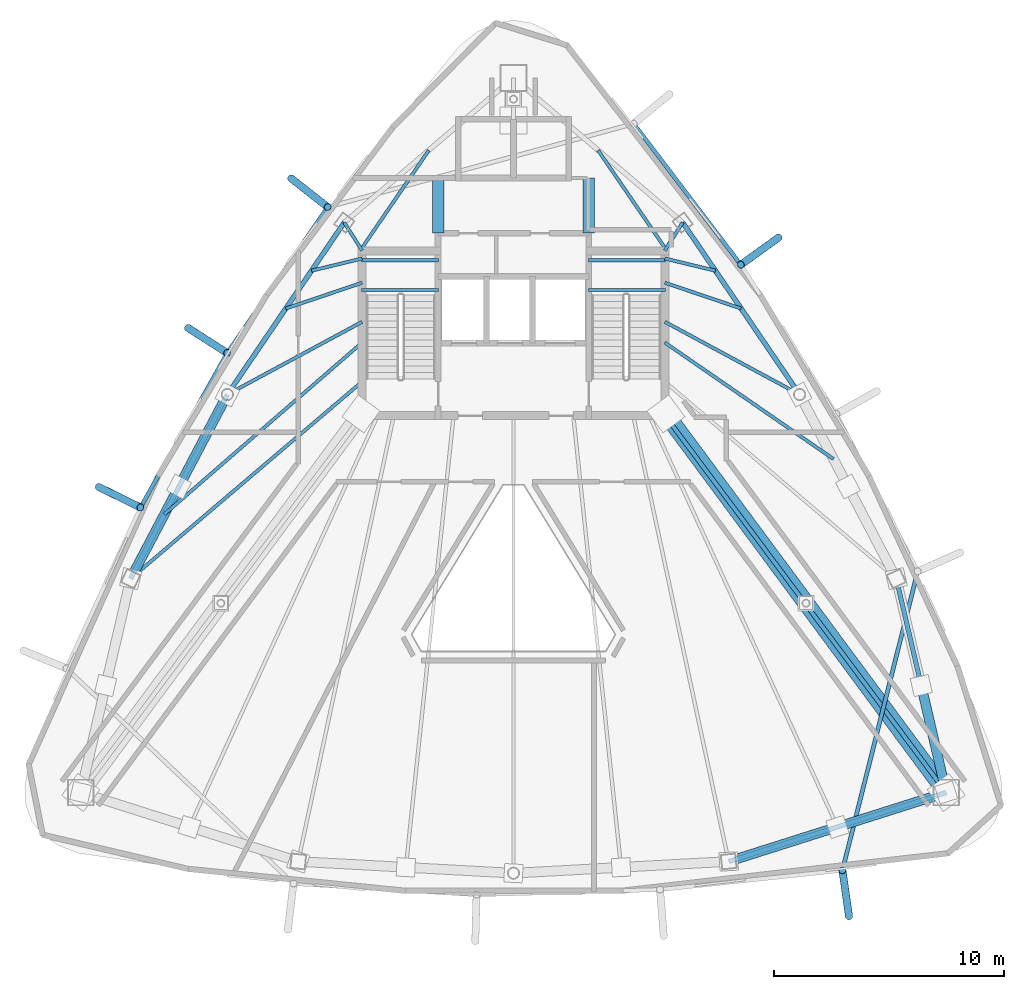
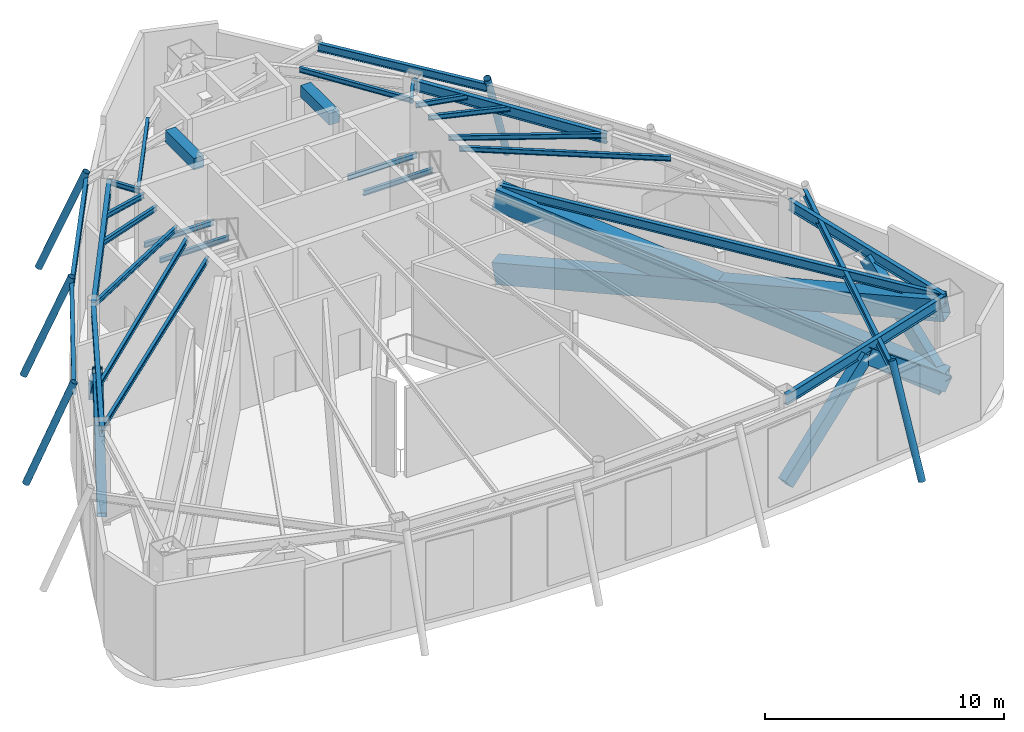
# One storey, part 3 of 9: 29 beams, 12 members.
"""IFC4 building model written with IfcOpenShell, lengths in metres."""

from ifc_helpers import new_model, si_unit, direction, frame, origin, origin_2d, place, context, subcontext, project, spatial, rectangle, hollow_rectangle, hollow_circle, i_section, extrude, material, material_profile, profile_set, type_object, element, save


model = new_model("IFC4")

# Units and contexts
model_context = context("Model", 3, precision=1e-05, world=origin(), true_north=direction((0.0, 1.0)))
body_context = subcontext(model_context, "Body", "Model", "MODEL_VIEW")
ifc_project = project(units=[si_unit("LENGTHUNIT", "METRE"), si_unit("AREAUNIT", "SQUARE_METRE"), si_unit("VOLUMEUNIT", "CUBIC_METRE"), si_unit("PLANEANGLEUNIT", "RADIAN"), si_unit("MASSUNIT", "GRAM", prefix="KILO")], contexts=[model_context])

# Site, building, storey
site_placement = place(None, origin())
site = spatial("IfcSite", under=ifc_project, at=site_placement, CompositionType="ELEMENT")
building_placement = place(site_placement, origin())
building = spatial("IfcBuilding", under=site, at=building_placement, Name="Orvanel Arch Residences", CompositionType="ELEMENT")
storey_placement = place(building_placement, frame((0.0, 0.0, 281.0)))
storey = spatial("IfcBuildingStorey", under=building, at=storey_placement, Name="L80", CompositionType="ELEMENT", Elevation=281.0)

# Beams
ifc_material_1 = material(Name="Structural steel AS/NZS 3679.1 Grade 300 (300 MPa)", Category="steel")
ifc_material_profile_1 = material_profile(ifc_material_1, i_section(OverallWidth=0.19091796875, OverallDepth=0.4599609375, WebThickness=0.010009765625, FlangeThickness=0.01611328125, at=origin_2d()), Name="460UB82.1")
ifc_profile_set_1 = profile_set([ifc_material_profile_1], Name="Structural steel AS/NZS 3679.1 Grade 300 (300 MPa)")
beam_type_1 = type_object("IfcBeamType", Name="BG-460UB", PredefinedType="BEAM", material=ifc_profile_set_1)
beam_1_placement = place(storey_placement, frame((39.625, 26.675048828125, 4.6201171875), z_axis=(0.597893733742, -0.801575375839, 0.0), x_axis=(0.801575375839, 0.597893733742, 0.0)))
element("IfcBeam", 1, at=beam_1_placement, inside=storey, type_object=beam_type_1, Name="L80 South-East Radial Girder", PredefinedType="BEAM", context=body_context, shape_type="SweptSolid", body=[
    extrude(i_section(OverallWidth=0.19091796875, OverallDepth=0.4599609375, WebThickness=0.010009765625, FlangeThickness=0.01611328125, at=origin_2d()), origin(), (0.0, 0.0, 1.0), 20.36474609375),
])
ifc_material_profile_2 = material_profile(ifc_material_1, i_section(OverallWidth=0.14599609375, OverallDepth=0.251953125, WebThickness=0.006103515625, FlangeThickness=0.008544921875, at=origin_2d()), Name="250UB31.4")
ifc_profile_set_2 = profile_set([ifc_material_profile_2], Name="Structural steel AS/NZS 3679.1 Grade 300 (300 MPa)")
beam_type_2 = type_object("IfcBeamType", Name="BJ-250UB", PredefinedType="JOIST", material=ifc_profile_set_2)
for number, where, z_axis, x_axis, name in (
    (2, (26.39990234375, 32.179931640625, 2.22412109375), (1.0, 0.0, 0.0), (0.0, 1.0, 0.0), "L80 ST-1 Half-Landing Support Beam 1.1"),
    (3, (26.39990234375, 33.47998046875, 2.22412109375), (1.0, 0.0, 0.0), (0.0, 1.0, 0.0), "L80 ST-1 Half-Landing Support Beam 1.2"),
    (4, (36.25, 32.179931640625, 2.22412109375), (1.0, 0.0, 0.0), (0.0, 1.0, 0.0), "L80 ST-2 Half-Landing Support Beam 1.1"),
    (5, (36.25, 33.47998046875, 2.22412109375), (1.0, 0.0, 0.0), (0.0, 1.0, 0.0), "L80 ST-2 Half-Landing Support Beam 1.2"),
):
    element("IfcBeam", number, at=place(storey_placement, frame(where, z_axis=z_axis, x_axis=x_axis)), inside=storey, type_object=beam_type_2, Name=name, PredefinedType="JOIST", context=body_context, shape_type="SweptSolid", body=[
        extrude(i_section(OverallWidth=0.14599609375, OverallDepth=0.251953125, WebThickness=0.006103515625, FlangeThickness=0.008544921875, at=origin_2d()), origin(), (0.0, 0.0, 1.0), 3.35009765625),
    ])
beam_2_placement = place(storey_placement, frame((26.425048828125, 33.89990234375, 4.72412109375), z_axis=(-0.539395075146, 0.842052820735, 0.0), x_axis=(-0.842052820735, -0.539395075146, 0.0)))
element("IfcBeam", 6, at=beam_2_placement, inside=storey, type_object=beam_type_2, Name="L80 NNW Wing Floor Joist", PredefinedType="JOIST", context=body_context, shape_type="SweptSolid", body=[
    extrude(i_section(OverallWidth=0.14599609375, OverallDepth=0.251953125, WebThickness=0.006103515625, FlangeThickness=0.008544921875, at=origin_2d()), origin(), (0.0, 0.0, 1.0), 1.440673828125),
])
beam_3_placement = place(storey_placement, frame((26.425048828125, 30.800048828125, 4.72412109375), z_axis=(-0.880111494021, -0.474767056664, 0.0), x_axis=(0.474767056664, -0.880111494021, 0.0)))
element("IfcBeam", 7, at=beam_3_placement, inside=storey, type_object=beam_type_2, Name="L80 NW Wing Floor Joist", PredefinedType="JOIST", context=body_context, shape_type="SweptSolid", body=[
    extrude(i_section(OverallWidth=0.14599609375, OverallDepth=0.251953125, WebThickness=0.006103515625, FlangeThickness=0.008544921875, at=origin_2d()), origin(), (0.0, 0.0, 1.0), 6.653564453125),
])
beam_4_placement = place(storey_placement, frame((26.425048828125, 28.199951171875, 4.72412109375), z_axis=(-0.761622669031, -0.64802076357, 0.0), x_axis=(0.64802076357, -0.761622669031, 0.0)))
element("IfcBeam", 8, at=beam_4_placement, inside=storey, type_object=beam_type_2, Name="L80 W Wing Floor Joist", PredefinedType="JOIST", context=body_context, shape_type="SweptSolid", body=[
    extrude(i_section(OverallWidth=0.14599609375, OverallDepth=0.251953125, WebThickness=0.006103515625, FlangeThickness=0.008544921875, at=origin_2d()), origin(), (0.0, 0.0, 1.0), 13.2060546875),
])
beam_5_placement = place(storey_placement, frame((39.574951171875, 33.89990234375, 4.72412109375), z_axis=(0.539395075146, 0.842052820735, 0.0), x_axis=(-0.842052820735, 0.539395075146, 0.0)))
element("IfcBeam", 9, at=beam_5_placement, inside=storey, type_object=beam_type_2, Name="L80 NNE Wing Floor Joist", PredefinedType="JOIST", context=body_context, shape_type="SweptSolid", body=[
    extrude(i_section(OverallWidth=0.14599609375, OverallDepth=0.251953125, WebThickness=0.006103515625, FlangeThickness=0.008544921875, at=origin_2d()), origin(), (0.0, 0.0, 1.0), 1.440673828125),
])
beam_6_placement = place(storey_placement, frame((39.574951171875, 30.800048828125, 4.72412109375), z_axis=(0.880111494021, -0.474767056664, 0.0), x_axis=(0.474767056664, 0.880111494021, 0.0)))
element("IfcBeam", 10, at=beam_6_placement, inside=storey, type_object=beam_type_2, Name="L80 NE Wing Floor Joist", PredefinedType="JOIST", context=body_context, shape_type="SweptSolid", body=[
    extrude(i_section(OverallWidth=0.14599609375, OverallDepth=0.251953125, WebThickness=0.006103515625, FlangeThickness=0.008544921875, at=origin_2d()), origin(), (0.0, 0.0, 1.0), 6.653564453125),
])
for number, where, z_axis, x_axis, name in (
    (11, (26.425048828125, 34.02001953125, 4.72412109375), (0.564868085352, 0.825181220188, 0.0), (-0.825181220188, 0.564868085352, 0.0), "L80 NNW2 Wing Floor Joist"),
    (12, (39.574951171875, 34.02001953125, 4.72412109375), (-0.564868085352, 0.825181220188, 0.0), (-0.825181220188, -0.564868085352, 0.0), "L80 NNE2 Wing Floor Joist"),
):
    element("IfcBeam", number, at=place(storey_placement, frame(where, z_axis=z_axis, x_axis=x_axis)), inside=storey, type_object=beam_type_2, Name=name, PredefinedType="JOIST", context=body_context, shape_type="SweptSolid", body=[
        extrude(i_section(OverallWidth=0.14599609375, OverallDepth=0.251953125, WebThickness=0.006103515625, FlangeThickness=0.008544921875, at=origin_2d()), origin(), (0.0, 0.0, 1.0), 5.132080078125),
    ])
beam_7_placement = place(storey_placement, frame((26.425048828125, 32.5, 4.72412109375), z_axis=(-0.947187956478, -0.320678928373, 0.0), x_axis=(0.320678928373, -0.947187956478, 0.0)))
element("IfcBeam", 13, at=beam_7_placement, inside=storey, type_object=beam_type_2, Name="L80 WNW Wing Floor Joist", PredefinedType="JOIST", context=body_context, shape_type="SweptSolid", body=[
    extrude(i_section(OverallWidth=0.14599609375, OverallDepth=0.251953125, WebThickness=0.006103515625, FlangeThickness=0.008544921875, at=origin_2d()), origin(), (0.0, 0.0, 1.0), 3.502197265625),
])
beam_8_placement = place(storey_placement, frame((39.574951171875, 32.5, 4.72412109375), z_axis=(0.947159269453, -0.320763648641, 0.0), x_axis=(0.320763648641, 0.947159269453, 0.0)))
element("IfcBeam", 14, at=beam_8_placement, inside=storey, type_object=beam_type_2, Name="L80 ENE Wing Floor Joist", PredefinedType="JOIST", context=body_context, shape_type="SweptSolid", body=[
    extrude(i_section(OverallWidth=0.14599609375, OverallDepth=0.251953125, WebThickness=0.006103515625, FlangeThickness=0.008544921875, at=origin_2d()), origin(), (0.0, 0.0, 1.0), 3.501220703125),
])
beam_9_placement = place(storey_placement, frame((26.425048828125, 29.89990234375, 4.72412109375), z_axis=(-0.755000957585, -0.655723687269, 0.0), x_axis=(0.655723687269, -0.755000957585, 0.0)))
element("IfcBeam", 15, at=beam_9_placement, inside=storey, type_object=beam_type_2, Name="L80 CTW Wing Floor Joist", PredefinedType="JOIST", context=body_context, shape_type="SweptSolid", body=[
    extrude(i_section(OverallWidth=0.14599609375, OverallDepth=0.251953125, WebThickness=0.006103515625, FlangeThickness=0.008544921875, at=origin_2d()), origin(), (0.0, 0.0, 1.0), 11.373779296875),
])
beam_10_placement = place(storey_placement, frame((39.574951171875, 29.89990234375, 4.72412109375), z_axis=(0.822917046387, -0.568161539323, 0.0), x_axis=(0.568161539323, 0.822917046387, 0.0)))
element("IfcBeam", 16, at=beam_10_placement, inside=storey, type_object=beam_type_2, Name="L80 CTE Wing Floor Joist", PredefinedType="JOIST", context=body_context, shape_type="SweptSolid", body=[
    extrude(i_section(OverallWidth=0.14599609375, OverallDepth=0.251953125, WebThickness=0.006103515625, FlangeThickness=0.008544921875, at=origin_2d()), origin(), (0.0, 0.0, 1.0), 8.90380859375),
])
for number, where, z_axis, x_axis, name in (
    (17, (26.425048828125, 33.550048828125, 4.72412109375), (-0.972256833016, -0.23391590509, 0.0), (0.23391590509, -0.972256833016, 0.0), "L80 JADD3 Wing Floor Joist"),
    (18, (39.574951171875, 33.550048828125, 4.72412109375), (0.972256833016, -0.23391590509, 0.0), (0.23391590509, 0.972256833016, 0.0), "L80 JADD4 Wing Floor Joist"),
):
    element("IfcBeam", number, at=place(storey_placement, frame(where, z_axis=z_axis, x_axis=x_axis)), inside=storey, type_object=beam_type_2, Name=name, PredefinedType="JOIST", context=body_context, shape_type="SweptSolid", body=[
        extrude(i_section(OverallWidth=0.14599609375, OverallDepth=0.251953125, WebThickness=0.006103515625, FlangeThickness=0.008544921875, at=origin_2d()), origin(), (0.0, 0.0, 1.0), 2.26171875),
    ])

# Members
ifc_material_2 = material(Name="Structural steel AS/NZS 3678 Grade 350", Category="steel")
ifc_material_profile_3 = material_profile(ifc_material_2, hollow_rectangle(XDim=0.419921875, YDim=0.719970703125, WallThickness=0.02490234375, at=origin_2d()), Name="RHS720x420x25")
ifc_profile_set_3 = profile_set([ifc_material_profile_3], Name="Structural steel AS/NZS 3678 Grade 350")
member_type_1 = type_object("IfcMemberType", Name="BR-720RHS", PredefinedType="BRACE", material=ifc_profile_set_3)
member_1_placement = place(storey_placement, frame((42.35107421875, 7.35498046875, 0.300048828125), z_axis=(0.741813082351, 0.23519687249, 0.628009380522), x_axis=(-0.302229669889, 0.953235137119, 0.0)))
element("IfcMember", 19, at=member_1_placement, inside=storey, type_object=member_type_1, Name="L80 Belt-Truss Chevron 05.1", PredefinedType="BRACE", context=body_context, shape_type="SweptSolid", body=[
    extrude(hollow_rectangle(XDim=0.419921875, YDim=0.719970703125, WallThickness=0.02490234375, at=origin_2d()), origin(), (0.0, 0.0, 1.0), 6.369384765625),
])
member_2_placement = place(storey_placement, frame((51.801025390625, 10.35107421875, 0.300048828125), z_axis=(-0.741830319421, -0.235190184973, 0.627991523892), x_axis=(0.30221548031, -0.953239635905, 0.0)))
element("IfcMember", 20, at=member_2_placement, inside=storey, type_object=member_type_1, Name="L80 Belt-Truss Chevron 05.2", PredefinedType="BRACE", context=body_context, shape_type="SweptSolid", body=[
    extrude(hollow_rectangle(XDim=0.419921875, YDim=0.719970703125, WallThickness=0.02490234375, at=origin_2d()), origin(), (0.0, 0.0, 1.0), 6.36962890625),
])
member_3_placement = place(storey_placement, frame((51.801025390625, 10.35107421875, 0.300048828125), z_axis=(-0.17411229779, 0.746251582645, 0.642490064638), x_axis=(-0.973844984311, -0.227213438273, 0.0)))
element("IfcMember", 21, at=member_3_placement, inside=storey, type_object=member_type_1, Name="L80 Belt-Truss Chevron 06.1", PredefinedType="BRACE", context=body_context, shape_type="SweptSolid", body=[
    extrude(hollow_rectangle(XDim=0.419921875, YDim=0.719970703125, WallThickness=0.02490234375, at=origin_2d()), origin(), (0.0, 0.0, 1.0), 6.225830078125),
])
member_4_placement = place(storey_placement, frame((20.569091796875, 27.64111328125, 0.300048828125), z_axis=(-0.348217608324, -0.662770674454, 0.662932523215), x_axis=(0.885253281653, -0.465109263853, 0.0)))
element("IfcMember", 22, at=member_4_placement, inside=storey, type_object=member_type_1, Name="L80 Belt-Truss Chevron 12.1", PredefinedType="BRACE", context=body_context, shape_type="SweptSolid", body=[
    extrude(hollow_rectangle(XDim=0.419921875, YDim=0.719970703125, WallThickness=0.02490234375, at=origin_2d()), origin(), (0.0, 0.0, 1.0), 6.03369140625),
])
member_5_placement = place(storey_placement, frame((16.366943359375, 19.64208984375, 0.300048828125), z_axis=(0.348180256955, 0.662861414123, 0.662861414123), x_axis=(-0.885300033521, 0.465020269072, 0.0)))
element("IfcMember", 23, at=member_5_placement, inside=storey, type_object=member_type_1, Name="L80 Belt-Truss Chevron 12.2", PredefinedType="BRACE", context=body_context, shape_type="SweptSolid", body=[
    extrude(hollow_rectangle(XDim=0.419921875, YDim=0.719970703125, WallThickness=0.02490234375, at=origin_2d()), origin(), (0.0, 0.0, 1.0), 6.034423828125),
])

# Beams
ifc_material_3 = material(Name="Concrete S65 (65 MPa)", Category="concrete")
ifc_material_profile_4 = material_profile(ifc_material_3, rectangle(XDim=0.5, YDim=0.60009765625, at=origin_2d()), Name="RC500x600")
ifc_profile_set_4 = profile_set([ifc_material_profile_4], Name="Concrete S65 (65 MPa)")
beam_type_3 = type_object("IfcBeamType", Name="CB-500x600", PredefinedType="LINTEL", material=ifc_profile_set_4)
for number, where, z_axis, x_axis, name in (
    (24, (29.72509765625, 34.64990234375, 4.550048828125), (0.0, 1.0, 0.0), (-1.0, 0.0, 0.0), "L80 West Core Lobby Coupling Lintel Beam"),
    (25, (36.27490234375, 34.64990234375, 4.550048828125), (0.0, 1.0, 0.0), (-1.0, 0.0, 0.0), "L80 East Core Lobby Coupling Lintel Beam"),
):
    element("IfcBeam", number, at=place(storey_placement, frame(where, z_axis=z_axis, x_axis=x_axis)), inside=storey, type_object=beam_type_3, Name=name, PredefinedType="LINTEL", context=body_context, shape_type="SweptSolid", body=[
        extrude(rectangle(XDim=0.5, YDim=0.60009765625, at=origin_2d()), origin(), (0.0, 0.0, 1.0), 2.400146484375),
    ])
ifc_material_profile_5 = material_profile(ifc_material_1, i_section(OverallWidth=0.177978515625, OverallDepth=0.406005859375, WebThickness=0.0078125, FlangeThickness=0.0126953125, at=origin_2d()), Name="410UB59.7")
ifc_profile_set_5 = profile_set([ifc_material_profile_5], Name="Structural steel AS/NZS 3679.1 Grade 300 (300 MPa)")
beam_type_4 = type_object("IfcBeamType", Name="OB-410UB-EXT", PredefinedType="SPANDREL", material=ifc_profile_set_5)
beam_11_placement = place(storey_placement, frame((24.929931640625, 35.785888671875, 4.64697265625), z_axis=(-0.567346812798, -0.823478957842, 0.0), x_axis=(0.823478957842, -0.567346812798, 0.0)))
element("IfcBeam", 26, at=beam_11_placement, inside=storey, type_object=beam_type_4, Name="L80 Outer Perimeter Floor Ring Beam 01", PredefinedType="SPANDREL", context=body_context, shape_type="SweptSolid", body=[
    extrude(i_section(OverallWidth=0.177978515625, OverallDepth=0.406005859375, WebThickness=0.0078125, FlangeThickness=0.0126953125, at=origin_2d()), origin(), (0.0, 0.0, 1.0), 7.698974609375),
])
beam_12_placement = place(storey_placement, frame((20.56201171875, 29.446044921875, 4.64697265625), z_axis=(-0.489422203707, -0.872046963482, 0.0), x_axis=(0.872046963482, -0.489422203707, 0.0)))
element("IfcBeam", 27, at=beam_12_placement, inside=storey, type_object=beam_type_4, Name="L80 Outer Perimeter Floor Ring Beam 02", PredefinedType="SPANDREL", context=body_context, shape_type="SweptSolid", body=[
    extrude(i_section(OverallWidth=0.177978515625, OverallDepth=0.406005859375, WebThickness=0.0078125, FlangeThickness=0.0126953125, at=origin_2d()), origin(), (0.0, 0.0, 1.0), 7.697021484375),
])
beam_13_placement = place(storey_placement, frame((47.29296875, 6.969970703125, 4.64697265625), z_axis=(0.244220827224, 0.969719643789, 0.0), x_axis=(-0.969719643789, 0.244220827224, 0.0)))
element("IfcBeam", 28, at=beam_13_placement, inside=storey, type_object=beam_type_4, Name="L80 Outer Perimeter Floor Ring Beam 08", PredefinedType="SPANDREL", context=body_context, shape_type="SweptSolid", body=[
    extrude(i_section(OverallWidth=0.177978515625, OverallDepth=0.406005859375, WebThickness=0.0078125, FlangeThickness=0.0126953125, at=origin_2d()), origin(), (0.0, 0.0, 1.0), 13.3935546875),
])
beam_14_placement = place(storey_placement, frame((42.87890625, 33.280029296875, 4.64697265625), z_axis=(-0.604759912546, 0.796407840354, 0.0), x_axis=(-0.796407840354, -0.604759912546, 0.0)))
element("IfcBeam", 29, at=beam_14_placement, inside=storey, type_object=beam_type_4, Name="L80 Outer Perimeter Floor Ring Beam 11", PredefinedType="SPANDREL", context=body_context, shape_type="SweptSolid", body=[
    extrude(i_section(OverallWidth=0.177978515625, OverallDepth=0.406005859375, WebThickness=0.0078125, FlangeThickness=0.0126953125, at=origin_2d()), origin(), (0.0, 0.0, 1.0), 7.697021484375),
])

# Members
ifc_material_profile_6 = material_profile(ifc_material_2, hollow_rectangle(XDim=0.719970703125, YDim=1.10009765625, WallThickness=0.035888671875, at=origin_2d()), Name="BOX1100x720x36")
ifc_profile_set_6 = profile_set([ifc_material_profile_6], Name="Structural steel AS/NZS 3678 Grade 350")
member_type_2 = type_object("IfcMemberType", Name="OR-1100BOX", PredefinedType="BRACE", material=ifc_profile_set_6)
for number, where, z_axis, x_axis, name in (
    (30, (39.625, 26.800048828125, 0.39990234375), (0.584963645402, -0.790245736349, 0.182562892561), (0.803753474747, 0.594962479348, 0.0), "L80 Core Outrigger Brace 3-1"),
    (31, (39.625, 26.800048828125, 4.199951171875), (0.584963645402, -0.790245736349, -0.182562892561), (0.803753474747, 0.594962479348, 0.0), "L80 Core Outrigger Brace 3-2"),
):
    element("IfcMember", number, at=place(storey_placement, frame(where, z_axis=z_axis, x_axis=x_axis)), inside=storey, type_object=member_type_2, Name=name, PredefinedType="BRACE", context=body_context, shape_type="SweptSolid", body=[
        extrude(hollow_rectangle(XDim=0.719970703125, YDim=1.10009765625, WallThickness=0.035888671875, at=origin_2d()), origin(), (0.0, 0.0, 1.0), 20.81494140625),
    ])

# Beams
ifc_material_profile_7 = material_profile(ifc_material_1, i_section(OverallWidth=0.208984375, OverallDepth=0.532958984375, WebThickness=0.01025390625, FlangeThickness=0.015625, at=origin_2d()), Name="530UB92.4")
ifc_profile_set_7 = profile_set([ifc_material_profile_7], Name="Structural steel AS/NZS 3679.1 Grade 300 (300 MPa)")
beam_type_5 = type_object("IfcBeamType", Name="SP-530UB", PredefinedType="SPANDREL", material=ifc_profile_set_7)
beam_15_placement = place(storey_placement, frame((42.35107421875, 7.35498046875, 4.583984375), z_axis=(0.953237386592, 0.302222574941, 0.0), x_axis=(-0.302222574941, 0.953237386592, 0.0)))
element("IfcBeam", 32, at=beam_15_placement, inside=storey, type_object=beam_type_5, Name="L80 Perimeter Spandrel Beam 05", PredefinedType="SPANDREL", context=body_context, shape_type="SweptSolid", body=[
    extrude(i_section(OverallWidth=0.208984375, OverallDepth=0.532958984375, WebThickness=0.01025390625, FlangeThickness=0.015625, at=origin_2d()), origin(), (0.0, 0.0, 1.0), 9.91357421875),
])
beam_16_placement = place(storey_placement, frame((51.801025390625, 10.35107421875, 4.583984375), z_axis=(-0.227236087167, 0.973839699688, 0.0), x_axis=(-0.973839699688, -0.227236087167, 0.0)))
element("IfcBeam", 33, at=beam_16_placement, inside=storey, type_object=beam_type_5, Name="L80 Perimeter Spandrel Beam 06", PredefinedType="SPANDREL", context=body_context, shape_type="SweptSolid", body=[
    extrude(i_section(OverallWidth=0.208984375, OverallDepth=0.532958984375, WebThickness=0.01025390625, FlangeThickness=0.015625, at=origin_2d()), origin(), (0.0, 0.0, 1.0), 9.54052734375),
])
for number, where, z_axis, x_axis, name in (
    (34, (45.430908203125, 27.64111328125, 4.583984375), (-0.562154793153, 0.827032035978, 0.0), (-0.827032035978, -0.562154793153, 0.0), "L80 Perimeter Spandrel Beam 08"),
    (35, (25.64794921875, 35.113037109375, 4.583984375), (-0.562154793153, -0.827032035978, 0.0), (0.827032035978, -0.562154793153, 0.0), "L80 Perimeter Spandrel Beam 11"),
):
    element("IfcBeam", number, at=place(storey_placement, frame(where, z_axis=z_axis, x_axis=x_axis)), inside=storey, type_object=beam_type_5, Name=name, PredefinedType="SPANDREL", context=body_context, shape_type="SweptSolid", body=[
        extrude(i_section(OverallWidth=0.208984375, OverallDepth=0.532958984375, WebThickness=0.01025390625, FlangeThickness=0.015625, at=origin_2d()), origin(), (0.0, 0.0, 1.0), 9.03466796875),
    ])
beam_17_placement = place(storey_placement, frame((20.569091796875, 27.64111328125, 4.583984375), z_axis=(-0.465064762793, -0.885276660942, 0.0), x_axis=(0.885276660942, -0.465064762793, 0.0)))
element("IfcBeam", 36, at=beam_17_placement, inside=storey, type_object=beam_type_5, Name="L80 Perimeter Spandrel Beam 12", PredefinedType="SPANDREL", context=body_context, shape_type="SweptSolid", body=[
    extrude(i_section(OverallWidth=0.208984375, OverallDepth=0.532958984375, WebThickness=0.01025390625, FlangeThickness=0.015625, at=origin_2d()), origin(), (0.0, 0.0, 1.0), 9.03564453125),
])

# Members
ifc_material_4 = material(Name="Structural steel AS/NZS 1163 C350L0 (Grade 350)", Category="steel")
ifc_material_profile_8 = material_profile(ifc_material_4, hollow_circle(Radius=0.162109375, WallThickness=0.0126953125, at=origin_2d()), Name="CHS324x12.7")
ifc_profile_set_8 = profile_set([ifc_material_profile_8], Name="Structural steel AS/NZS 1163 C350L0 (Grade 350)")
member_type_3 = type_object("IfcMemberType", Name="ST-324CHS-EXT", PredefinedType="STRUT", material=ifc_profile_set_8)
member_6_placement = place(storey_placement, frame((23.341064453125, 37.031982421875, 0.0), z_axis=(0.289660429463, -0.227170687151, 0.92977971289), x_axis=(0.617116449724, 0.786871836756, 0.0)))
element("IfcMember", 37, at=member_6_placement, inside=storey, type_object=member_type_3, Name="L80 Outer Perimeter Frame Post 01", PredefinedType="STRUT", context=body_context, shape_type="SweptSolid", body=[
    extrude(hollow_circle(Radius=0.162109375, WallThickness=0.0126953125, at=origin_2d()), origin(), (0.0, 0.0, 1.0), 5.4853515625),
])
for number, where, z_axis, x_axis, name in (
    (38, (18.861083984375, 30.535888671875, 0.0), (0.310070879189, -0.19867323162, 0.929723075392), (0.53949259375, 0.841990345128, 0.0), "L80 Outer Perimeter Frame Post 02"),
    (39, (14.98193359375, 23.625, 0.0), (0.330498452807, -0.16244537473, 0.929721610441), (0.441112250979, 0.897451938566, 0.0), "L80 Outer Perimeter Frame Post 03"),
    (40, (47.5791015625, 4.969970703125, 0.0), (-0.052159794658, 0.364584503272, 0.929708285321), (-0.989920471269, -0.141624364298, 0.0), "L80 Outer Perimeter Frame Post 08"),
    (41, (44.51806640625, 34.4609375, 0.0), (-0.298808587635, -0.215272138575, 0.929715727687), (0.584537100027, -0.811366981514, 0.0), "L80 Outer Perimeter Frame Post 11"),
):
    element("IfcMember", number, at=place(storey_placement, frame(where, z_axis=z_axis, x_axis=x_axis)), inside=storey, type_object=member_type_3, Name=name, PredefinedType="STRUT", context=body_context, shape_type="SweptSolid", body=[
        extrude(hollow_circle(Radius=0.162109375, WallThickness=0.0126953125, at=origin_2d()), origin(), (0.0, 0.0, 1.0), 5.485595703125),
    ])

save(model, "model.ifc")
